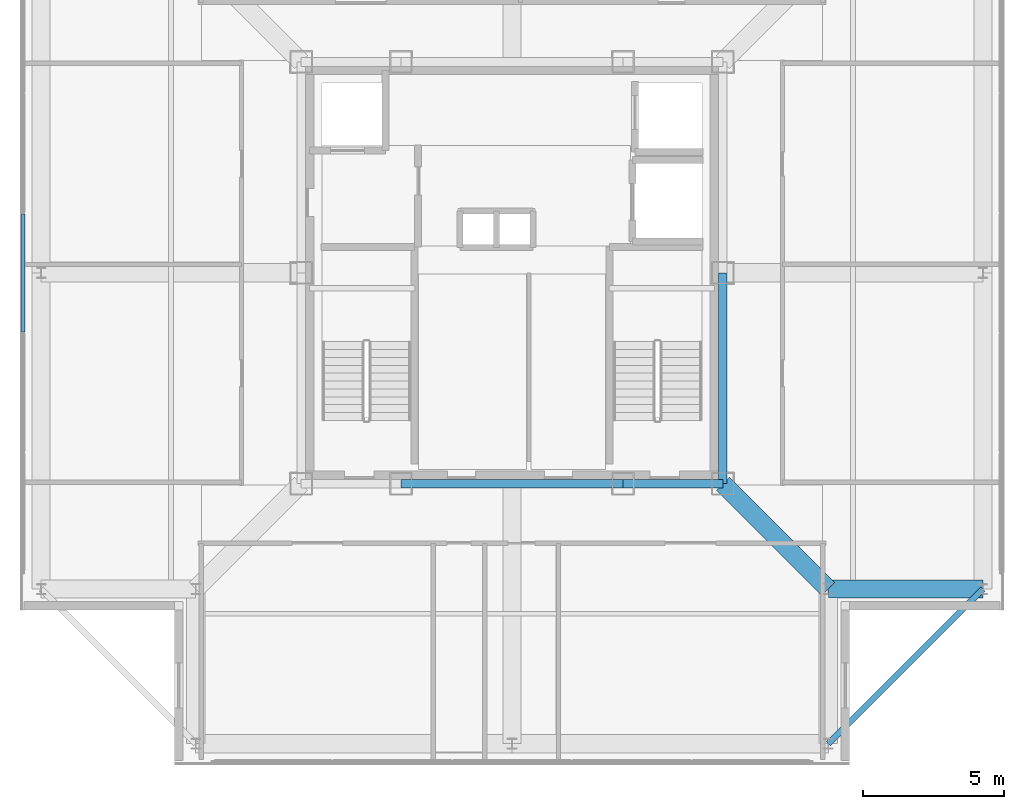
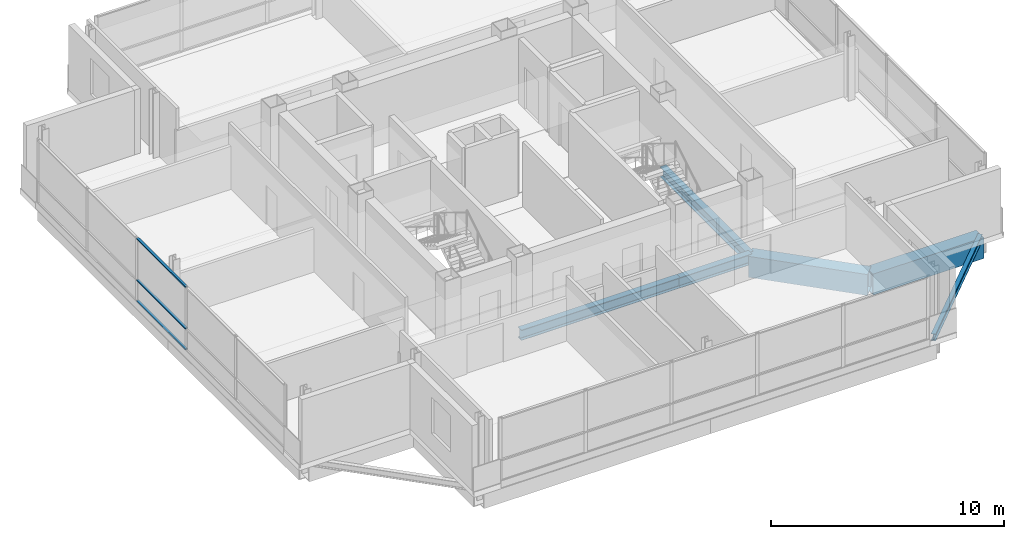
# One storey, part 3 of 12: 6 beams, 3 members, 1 element without a shape of its own.
"""IFC4 building model written with IfcOpenShell, lengths in metres."""

from ifc_helpers import new_model, si_unit, direction, frame, origin, origin_2d, place, context, subcontext, project, spatial, rectangle, hollow_rectangle, i_section, extrude, material, layer, layer_set, material_profile, profile_set, type_object, element, aggregate, save


model = new_model("IFC4")

# Units and contexts
model_context = context("Model", 3, precision=1e-05, world=origin(), true_north=direction((0.0, 1.0)))
body_context = subcontext(model_context, "Body", "Model", "MODEL_VIEW")
ifc_project = project(units=[si_unit("LENGTHUNIT", "METRE"), si_unit("AREAUNIT", "SQUARE_METRE"), si_unit("VOLUMEUNIT", "CUBIC_METRE"), si_unit("PLANEANGLEUNIT", "RADIAN"), si_unit("MASSUNIT", "GRAM", prefix="KILO")], contexts=[model_context])

# Site, building, storey
site_placement = place(None, origin())
site = spatial("IfcSite", under=ifc_project, at=site_placement, CompositionType="ELEMENT")
building_placement = place(site_placement, origin())
building = spatial("IfcBuilding", under=site, at=building_placement, Name="Trevonay Congress Spire", CompositionType="ELEMENT")
storey_placement = place(building_placement, frame((0.0, 0.0, 304.60009765625)))
storey = spatial("IfcBuildingStorey", under=building, at=storey_placement, Name="L80", CompositionType="ELEMENT", Elevation=304.60009765625)

# Beams
ifc_material_1 = material(Name="Steel ASTM A572 Grade 50", Category="steel")
ifc_material_profile_1 = material_profile(ifc_material_1, i_section(OverallWidth=0.31201171875, OverallDepth=0.54296875, WebThickness=0.0126953125, FlangeThickness=0.020263671875, FilletRadius=0.014892578125, at=origin_2d()), Name="W530x150")
ifc_profile_set_1 = profile_set([ifc_material_profile_1], Name="Steel ASTM A572 Grade 50")
beam_type_1 = type_object("IfcBeamType", Name="BM-GIRD-W530X150", PredefinedType="BEAM", material=ifc_profile_set_1)
beam_1_placement = place(storey_placement, frame((-3.949951171875, -7.5, -0.551513671875), z_axis=(1.0, 0.0, 0.0), x_axis=(0.0, 1.0, 0.0)))
element("IfcBeam", 1, at=beam_1_placement, inside=storey, type_object=beam_type_1, Name="L80 structural beam BM-L80-CR-S2", PredefinedType="BEAM", context=body_context, shape_type="SweptSolid", body=[
    extrude(i_section(OverallWidth=0.31201171875, OverallDepth=0.54296875, WebThickness=0.0126953125, FlangeThickness=0.020263671875, FilletRadius=0.014892578125, at=origin_2d()), origin(), (0.0, 0.0, 1.0), 7.89990234375),
])
beam_2_placement = place(storey_placement, frame((3.949951171875, -7.5, -0.551513671875), z_axis=(1.0, 0.0, 0.0), x_axis=(0.0, 1.0, 0.0)))
element("IfcBeam", 2, at=beam_2_placement, inside=storey, type_object=beam_type_1, Name="L80 structural beam BM-L80-CR-S3", PredefinedType="BEAM", context=body_context, shape_type="SweptSolid", body=[
    extrude(i_section(OverallWidth=0.31201171875, OverallDepth=0.54296875, WebThickness=0.0126953125, FlangeThickness=0.020263671875, FilletRadius=0.014892578125, at=origin_2d()), origin(), (0.0, 0.0, 1.0), 3.550048828125),
])
beam_3_placement = place(storey_placement, frame((7.5, -7.5, -0.551513671875), z_axis=(0.0, 1.0, 0.0), x_axis=(-1.0, 0.0, 0.0)))
element("IfcBeam", 3, at=beam_3_placement, inside=storey, type_object=beam_type_1, Name="L80 structural beam BM-L80-CR-E1", PredefinedType="BEAM", context=body_context, shape_type="SweptSolid", body=[
    extrude(i_section(OverallWidth=0.31201171875, OverallDepth=0.54296875, WebThickness=0.0126953125, FlangeThickness=0.020263671875, FilletRadius=0.014892578125, at=origin_2d()), origin(), (0.0, 0.0, 1.0), 7.5),
])
ifc_material_profile_2 = material_profile(ifc_material_1, hollow_rectangle(XDim=0.64990234375, YDim=1.10009765625, WallThickness=0.044921875, at=origin_2d()), Name="BOX 1100x650x45")
ifc_profile_set_2 = profile_set([ifc_material_profile_2], Name="Steel ASTM A572 Grade 50")
beam_type_2 = type_object("IfcBeamType", Name="BM-RING-BOX1100", PredefinedType="BEAM", material=ifc_profile_set_2)
beam_4_placement = place(storey_placement, frame((16.75, -11.25, -0.830078125), z_axis=(-1.0, 0.0, 0.0), x_axis=(0.0, -1.0, 0.0)))
element("IfcBeam", 4, at=beam_4_placement, inside=storey, type_object=beam_type_2, Name="L80 structural beam BM-L80-N2SE", PredefinedType="BEAM", context=body_context, shape_type="SweptSolid", body=[
    extrude(hollow_rectangle(XDim=0.64990234375, YDim=1.10009765625, WallThickness=0.044921875, at=origin_2d()), origin(), (0.0, 0.0, 1.0), 5.5),
])
ifc_material_profile_3 = material_profile(ifc_material_1, hollow_rectangle(XDim=0.64990234375, YDim=1.10009765625, WallThickness=0.044921875, at=origin_2d()), Name="BOX 1100x650x45")
ifc_profile_set_3 = profile_set([ifc_material_profile_3], Name="Steel ASTM A572 Grade 50")
beam_type_3 = type_object("IfcBeamType", Name="BM-XFER-BOX1100", PredefinedType="BEAM", material=ifc_profile_set_3)
beam_5_placement = place(storey_placement, frame((7.5, -7.5, -0.830078125), z_axis=(0.707106781187, -0.707106781187, 0.0), x_axis=(0.707106781187, 0.707106781187, 0.0)))
element("IfcBeam", 5, at=beam_5_placement, inside=storey, type_object=beam_type_3, Name="L80 structural beam BM-L80-CDSE", PredefinedType="BEAM", context=body_context, shape_type="SweptSolid", body=[
    extrude(hollow_rectangle(XDim=0.64990234375, YDim=1.10009765625, WallThickness=0.044921875, at=origin_2d()), origin(), (0.0, 0.0, 1.0), 5.30322265625),
])

# Curtain wall, members
ifc_material_2 = material(Name="Pale Anodised Aluminium EN AW-6063-T6", Category="aluminium")
ifc_layer = layer(ifc_material_2, 0.159912109375, Name="Pale Anodised Aluminium EN AW-6063-T6")
ifc_layer_set = layer_set([ifc_layer], Name="Pale Anodised Aluminium EN AW-6063-T6")
curtain_wall_type = type_object("IfcCurtainWallType", Name="CW-SYS06-CROWN-PALE-METAL", PredefinedType="NOTDEFINED", material=ifc_layer_set)
curtain_wall_placement = place(storey_placement, origin())
curtain_wall = element("IfcCurtainWall", 6, at=curtain_wall_placement, inside=storey, type_object=curtain_wall_type, Name="L80 W unitised curtain wall", PredefinedType="NOTDEFINED")
ifc_material_profile_4 = material_profile(ifc_material_2, rectangle(XDim=0.1201171875, YDim=0.06005859375, at=origin_2d()), Name="CW-TRANSOM-120-ALUMINIUM")
ifc_profile_set_4 = profile_set([ifc_material_profile_4], Name="Pale Anodised Aluminium EN AW-6063-T6")
member_type = type_object("IfcMemberType", Name="CW-TRANSOM-120-ALUMINIUM", PredefinedType="USERDEFINED", material=ifc_profile_set_4)
member_1_placement = place(storey_placement, frame((-17.3798828125, -2.10009765625, 0.059814453125), z_axis=(0.0, 1.0, 0.0), x_axis=(-1.0, 0.0, 0.0)))
member_1 = element("IfcMember", 7, at=member_1_placement, type_object=member_type, Name="CW06 transom 3.1", ObjectType="TRANSOM", PredefinedType="USERDEFINED", context=body_context, shape_type="SweptSolid", body=[
    extrude(rectangle(XDim=0.1201171875, YDim=0.06005859375, at=origin_2d()), origin(), (0.0, 0.0, 1.0), 4.2001953125),
])
member_2_placement = place(storey_placement, frame((-17.3798828125, -2.10009765625, 1.156005859375), z_axis=(0.0, 1.0, 0.0), x_axis=(-1.0, 0.0, 0.0)))
member_2 = element("IfcMember", 8, at=member_2_placement, type_object=member_type, Name="CW06 transom 3.2", ObjectType="TRANSOM", PredefinedType="USERDEFINED", context=body_context, shape_type="SweptSolid", body=[
    extrude(rectangle(XDim=0.1201171875, YDim=0.06005859375, at=origin_2d()), origin(), (0.0, 0.0, 1.0), 4.2001953125),
])
member_3_placement = place(storey_placement, frame((-17.3798828125, -2.10009765625, 3.33984375), z_axis=(0.0, 1.0, 0.0), x_axis=(-1.0, 0.0, 0.0)))
member_3 = element("IfcMember", 9, at=member_3_placement, type_object=member_type, Name="CW06 transom 3.3", ObjectType="TRANSOM", PredefinedType="USERDEFINED", context=body_context, shape_type="SweptSolid", body=[
    extrude(rectangle(XDim=0.1201171875, YDim=0.06005859375, at=origin_2d()), origin(), (0.0, 0.0, 1.0), 4.2001953125),
])
aggregate(curtain_wall, [member_1, member_2, member_3])

# Beam
ifc_material_profile_5 = material_profile(ifc_material_1, i_section(OverallWidth=0.205078125, OverallDepth=0.35400390625, WebThickness=0.009521484375, FlangeThickness=0.016845703125, FilletRadius=0.011962890625, at=origin_2d()), Name="W360x79")
ifc_profile_set_5 = profile_set([ifc_material_profile_5], Name="Steel ASTM A572 Grade 50")
beam_type_4 = type_object("IfcBeamType", Name="SPB-HSS350", PredefinedType="SPANDREL", material=ifc_profile_set_5)
beam_6_placement = place(storey_placement, frame((11.25, -16.75, -0.45703125), z_axis=(0.707106781187, 0.707106781187, 0.0), x_axis=(-0.707106781187, 0.707106781187, 0.0)))
element("IfcBeam", 10, at=beam_6_placement, inside=storey, type_object=beam_type_4, Name="L80 structural beam SPB-L80-SE", PredefinedType="SPANDREL", context=body_context, shape_type="SweptSolid", body=[
    extrude(i_section(OverallWidth=0.205078125, OverallDepth=0.35400390625, WebThickness=0.009521484375, FlangeThickness=0.016845703125, FilletRadius=0.011962890625, at=origin_2d()), origin(), (0.0, 0.0, 1.0), 7.778076171875),
])

save(model, "model.ifc")
